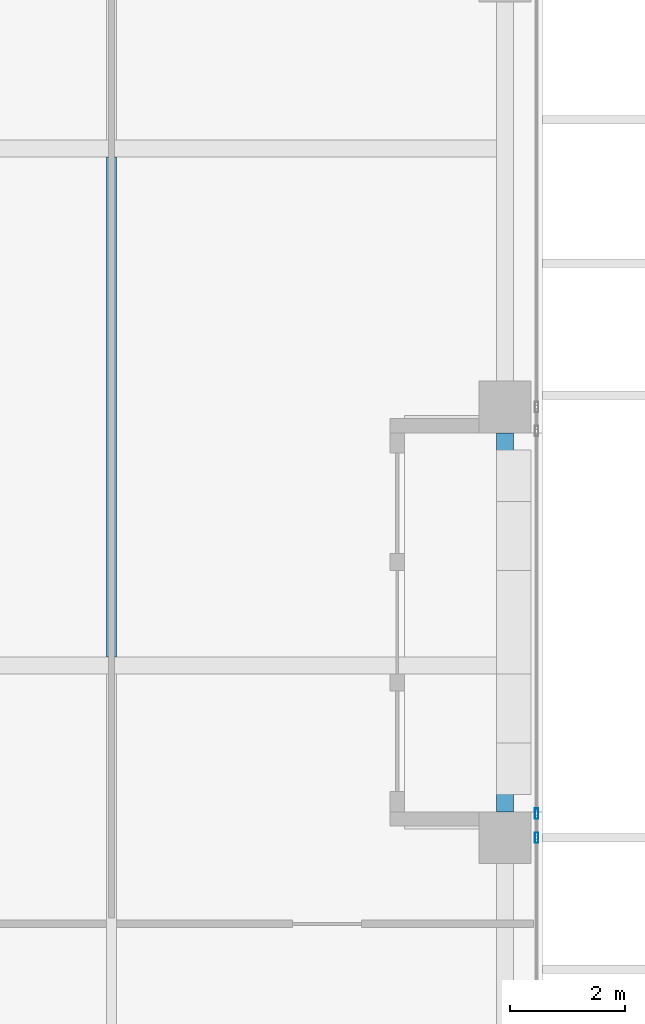
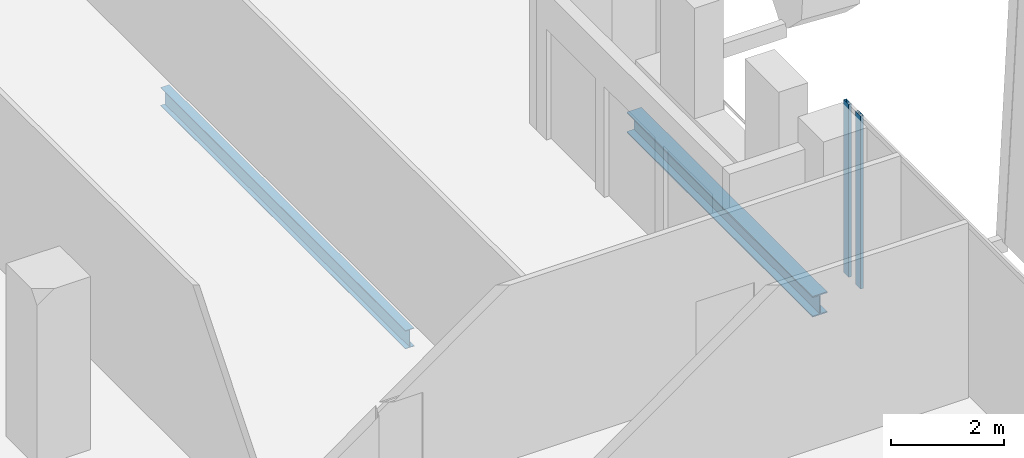
# One storey, part 11 of 35: 2 beams, 2 members, 1 element without a shape of its own.
"""IFC4 building model written with IfcOpenShell, lengths in metres."""

from ifc_helpers import new_model, si_unit, direction, frame, origin, origin_2d, place, context, subcontext, project, spatial, hollow_rectangle, i_section, extrude, source, transform, mapped, material, material_profile, profile_set, type_object, element, aggregate, save


model = new_model("IFC4")

# Units and contexts
model_context = context("Model", 3, precision=1e-05, world=origin(), true_north=direction((0.0, 1.0)))
body_context = subcontext(model_context, "Body", "Model", "MODEL_VIEW")
ifc_project = project(units=[si_unit("LENGTHUNIT", "METRE"), si_unit("AREAUNIT", "SQUARE_METRE"), si_unit("VOLUMEUNIT", "CUBIC_METRE"), si_unit("PLANEANGLEUNIT", "RADIAN"), si_unit("MASSUNIT", "GRAM", prefix="KILO")], contexts=[model_context])

# Site, building, storey
site_placement = place(None, origin())
site = spatial("IfcSite", under=ifc_project, at=site_placement, CompositionType="ELEMENT")
building_placement = place(site_placement, origin())
building = spatial("IfcBuilding", under=site, at=building_placement, Name="Khomas Fold Tower", CompositionType="ELEMENT")
storey_placement = place(building_placement, frame((0.0, 0.0, 258.199951171875)))
storey = spatial("IfcBuildingStorey", under=building, at=storey_placement, Name="L58", CompositionType="ELEMENT", Elevation=258.199951171875)

# Beams
ifc_material_1 = material(Name="Steel S355", Category="steel")
ifc_material_profile_1 = material_profile(ifc_material_1, i_section(OverallWidth=0.179931640625, OverallDepth=0.39990234375, WebThickness=0.008544921875, FlangeThickness=0.013427734375, at=origin_2d()), Name="IPE 400")
ifc_profile_set_1 = profile_set([ifc_material_profile_1], Name="Steel S355")
beam_type_1 = type_object("IfcBeamType", Name="IPE 400 beam JB3", PredefinedType="BEAM", material=ifc_profile_set_1)
shared_shape_1 = source(origin(), body_context, "Body", "SweptSolid", [
    extrude(i_section(OverallWidth=0.179931640625, OverallDepth=0.39990234375, WebThickness=0.008544921875, FlangeThickness=0.013427734375, at=origin_2d()), origin(), (0.0, 0.0, 1.0), 8.7001953125),
])
beam_1_placement = place(storey_placement, frame((42.0, 22.64990234375, -0.449951171875), z_axis=(0.0, 1.0, 0.0), x_axis=(-1.0, 0.0, 0.0)))
element("IfcBeam", 1, at=beam_1_placement, inside=storey, type_object=beam_type_1, Name="JB3", PredefinedType="BEAM", context=body_context, shape_type="MappedRepresentation", body=[
    mapped(shared_shape_1, transform((0.0, 0.0, 0.0))),
])
ifc_material_2 = material(Name="Steel S355", Category="steel")
ifc_material_profile_2 = material_profile(ifc_material_2, i_section(OverallWidth=0.300048828125, OverallDepth=0.449951171875, WebThickness=0.013916015625, FlangeThickness=0.02587890625, at=origin_2d()), Name="HE 450 B")
ifc_profile_set_2 = profile_set([ifc_material_profile_2], Name="Steel S355")
beam_type_2 = type_object("IfcBeamType", Name="HE 450 B spandrel SB4", PredefinedType="SPANDREL", material=ifc_profile_set_2)
shared_shape_2 = source(origin(), body_context, "Body", "SweptSolid", [
    extrude(i_section(OverallWidth=0.300048828125, OverallDepth=0.449951171875, WebThickness=0.013916015625, FlangeThickness=0.02587890625, at=origin_2d()), origin(), (0.0, 0.0, 1.0), 6.60009765625),
])
beam_2_placement = place(storey_placement, frame((48.85009765625, 19.949951171875, -0.474853515625), z_axis=(0.0, 1.0, 0.0), x_axis=(-1.0, 0.0, 0.0)))
element("IfcBeam", 2, at=beam_2_placement, inside=storey, type_object=beam_type_2, Name="SB4", PredefinedType="SPANDREL", context=body_context, shape_type="MappedRepresentation", body=[
    mapped(shared_shape_2, transform((0.0, 0.0, 0.0))),
])

# Curtain wall, members
ifc_material_3 = material(Name="Aluminium framed double glazing", Category="aluminium")
curtain_wall_type = type_object("IfcCurtainWallType", Name="SK-Unitised clear-glass wall, office floors CW2", PredefinedType="NOTDEFINED", material=ifc_material_3)
curtain_wall_placement = place(storey_placement, origin())
curtain_wall = element("IfcCurtainWall", 3, at=curtain_wall_placement, inside=storey, type_object=curtain_wall_type, Name="CW2 run L58 03-0", PredefinedType="NOTDEFINED")
ifc_material_4 = material(Name="Aluminium", Category="aluminium")
ifc_material_profile_3 = material_profile(ifc_material_4, hollow_rectangle(XDim=0.06005859375, YDim=0.179931640625, WallThickness=0.00390625, at=origin_2d()), Name="SK-Unitised clear-glass wall, office floors mullion CW2-M")
ifc_profile_set_3 = profile_set([ifc_material_profile_3], Name="Aluminium")
member_type = type_object("IfcMemberType", Name="SK-Unitised clear-glass wall, office floors mullion CW2-M", PredefinedType="MULLION", material=ifc_profile_set_3)
shared_shape_3 = source(origin(), body_context, "Body", "SweptSolid", [
    extrude(hollow_rectangle(XDim=0.06005859375, YDim=0.179931640625, WallThickness=0.00390625, at=origin_2d()), origin(), (0.0, 0.0, 1.0), 3.75),
])
member_1_placement = place(storey_placement, frame((49.39990234375, 19.5, 0.0), z_axis=(0.0, 0.0, 1.0), x_axis=(-1.0, 0.0, 0.0)))
member_1 = element("IfcMember", 4, at=member_1_placement, type_object=member_type, Name="CW2 mullion 3", PredefinedType="MULLION", context=body_context, shape_type="MappedRepresentation", body=[
    mapped(shared_shape_3, transform((0.0, 0.0, 0.0))),
])
member_2_placement = place(storey_placement, frame((49.39990234375, 19.919921875, 0.0), z_axis=(0.0, 0.0, 1.0), x_axis=(-1.0, 0.0, 0.0)))
member_2 = element("IfcMember", 5, at=member_2_placement, type_object=member_type, Name="CW2 mullion 4", PredefinedType="MULLION", context=body_context, shape_type="MappedRepresentation", body=[
    mapped(shared_shape_3, transform((0.0, 0.0, 0.0))),
])
aggregate(curtain_wall, [member_1, member_2])

save(model, "model.ifc")
